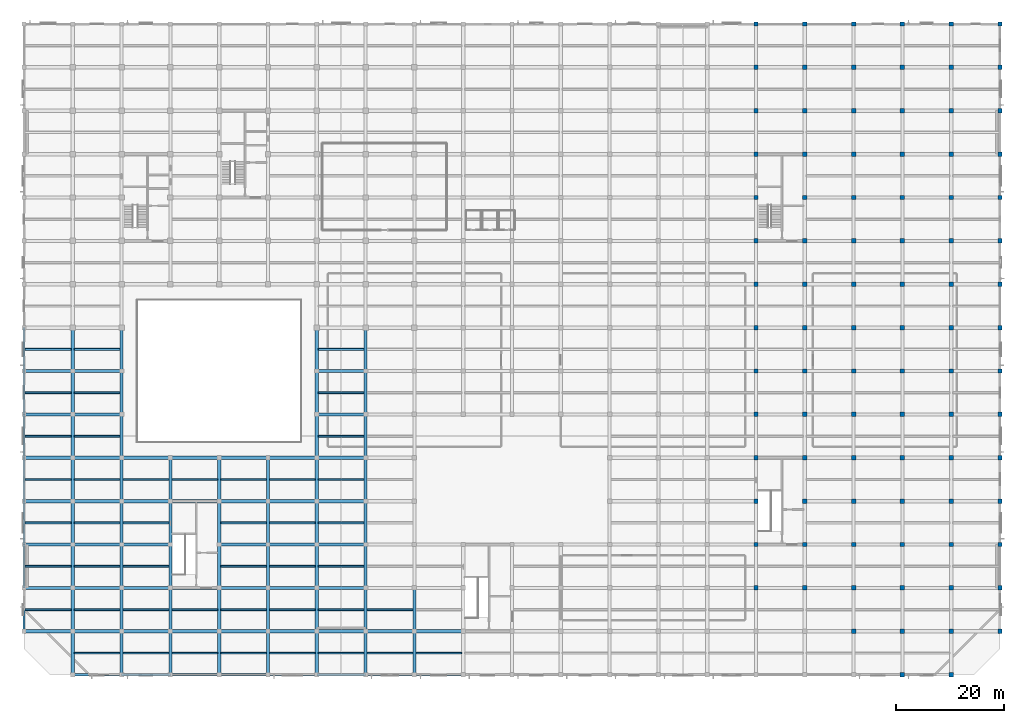
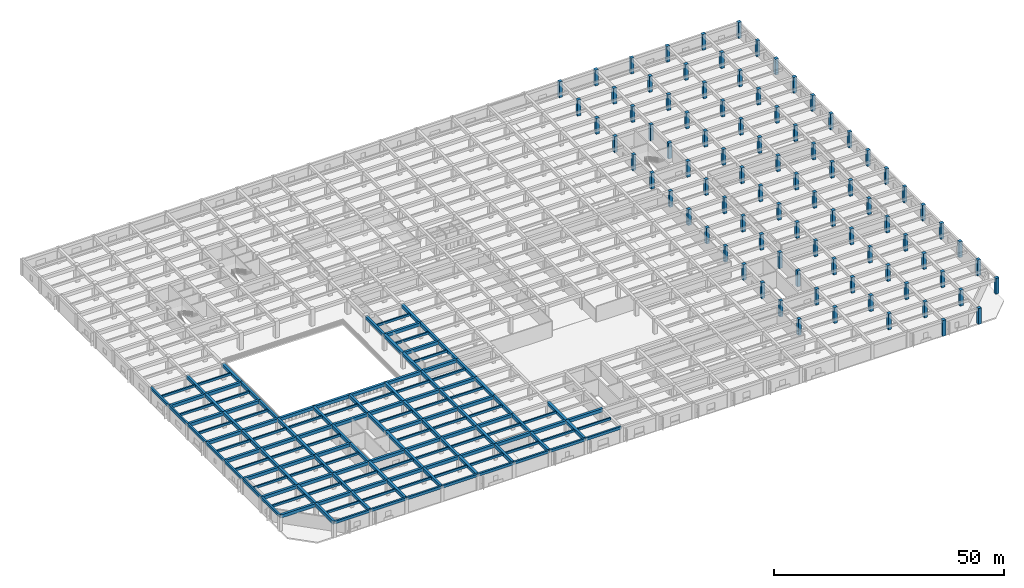
# One storey, part 2 of 32: 150 beams, 90 columns.
"""IFC4 building model written with IfcOpenShell, lengths in metres."""

from ifc_helpers import new_model, si_unit, direction, frame, origin, origin_2d, place, context, subcontext, project, spatial, rectangle, extrude, material, material_profile, profile_set, type_object, element, save


model = new_model("IFC4")

# Units and contexts
model_context = context("Model", 3, precision=1e-05, world=origin(), true_north=direction((0.0, 1.0)))
body_context = subcontext(model_context, "Body", "Model", "MODEL_VIEW")
ifc_project = project(units=[si_unit("LENGTHUNIT", "METRE"), si_unit("AREAUNIT", "SQUARE_METRE"), si_unit("VOLUMEUNIT", "CUBIC_METRE"), si_unit("PLANEANGLEUNIT", "RADIAN"), si_unit("MASSUNIT", "GRAM", prefix="KILO")], contexts=[model_context])

# Site, building, storey
site_placement = place(None, origin())
site = spatial("IfcSite", under=ifc_project, at=site_placement, CompositionType="ELEMENT")
building_placement = place(site_placement, origin())
building = spatial("IfcBuilding", under=site, at=building_placement, Name="Zaverband Oceanarium and Marine Research Institute", CompositionType="ELEMENT")
storey_placement = place(building_placement, frame((0.0, 0.0, 13.5)))
storey = spatial("IfcBuildingStorey", under=building, at=storey_placement, Name="L03", CompositionType="ELEMENT", Elevation=13.5)

# Columns
ifc_material_1 = material(Name="Concrete C50/60", Category="concrete")
ifc_material_profile_1 = material_profile(ifc_material_1, rectangle(XDim=0.800048828125, YDim=0.800048828125, at=origin_2d()), Name="RC800x800")
ifc_profile_set_1 = profile_set([ifc_material_profile_1], Name="Concrete C50/60")
column_type = type_object("IfcColumnType", Name="COL-C800", PredefinedType="COLUMN", material=ifc_profile_set_1)
for number, where, z_axis, x_axis, name in (
    (1, (135.0, 16.0, 0.0), (0.0, 0.0, 1.0), (1.0, 0.0, 0.0), "Reinforced concrete column RC800x800 COL-C800"),
    (2, (135.0, 24.0, 0.0), (0.0, 0.0, 1.0), (1.0, 0.0, 0.0), "Reinforced concrete column RC800x800 COL-C800"),
    (3, (135.0, 32.0, 0.0), (0.0, 0.0, 1.0), (1.0, 0.0, 0.0), "Reinforced concrete column RC800x800 COL-C800"),
    (4, (135.0, 40.0, 0.0), (0.0, 0.0, 1.0), (1.0, 0.0, 0.0), "Reinforced concrete column RC800x800 COL-C800"),
    (5, (135.0, 48.0, 0.0), (0.0, 0.0, 1.0), (1.0, 0.0, 0.0), "Reinforced concrete column RC800x800 COL-C800"),
    (6, (135.0, 56.0, 0.0), (0.0, 0.0, 1.0), (1.0, 0.0, 0.0), "Reinforced concrete column RC800x800 COL-C800"),
):
    element("IfcColumn", number, at=place(storey_placement, frame(where, z_axis=z_axis, x_axis=x_axis)), inside=storey, type_object=column_type, Name=name, PredefinedType="COLUMN", context=body_context, shape_type="SweptSolid", body=[
        extrude(rectangle(XDim=0.800048828125, YDim=0.800048828125, at=origin_2d()), origin(), (0.0, 0.0, 1.0), 4.199951171875),
    ])
for number, where, z_axis, x_axis, name in (
    (7, (135.0, 64.0, 0.0), (0.0, 0.0, 1.0), (1.0, 0.0, 0.0), "Reinforced concrete column RC800x800 COL-C800"),
    (8, (135.0, 72.0, 0.0), (0.0, 0.0, 1.0), (1.0, 0.0, 0.0), "Reinforced concrete column RC800x800 COL-C800"),
    (9, (135.0, 80.0, 0.0), (0.0, 0.0, 1.0), (1.0, 0.0, 0.0), "Reinforced concrete column RC800x800 COL-C800"),
    (10, (135.0, 88.0, 0.0), (0.0, 0.0, 1.0), (1.0, 0.0, 0.0), "Reinforced concrete column RC800x800 COL-C800"),
    (11, (135.0, 96.0, 0.0), (0.0, 0.0, 1.0), (1.0, 0.0, 0.0), "Reinforced concrete column RC800x800 COL-C800"),
    (12, (135.0, 104.0, 0.0), (0.0, 0.0, 1.0), (1.0, 0.0, 0.0), "Reinforced concrete column RC800x800 COL-C800"),
    (13, (135.0, 112.0, 0.0), (0.0, 0.0, 1.0), (1.0, 0.0, 0.0), "Reinforced concrete column RC800x800 COL-C800"),
):
    element("IfcColumn", number, at=place(storey_placement, frame(where, z_axis=z_axis, x_axis=x_axis)), inside=storey, type_object=column_type, Name=name, PredefinedType="COLUMN", context=body_context, shape_type="SweptSolid", body=[
        extrude(rectangle(XDim=0.800048828125, YDim=0.800048828125, at=origin_2d()), origin(), (0.0, 0.0, 1.0), 4.22998046875),
    ])
for number, where, z_axis, x_axis, name in (
    (14, (135.0, 120.0, 0.0), (0.0, 0.0, 1.0), (1.0, 0.0, 0.0), "Reinforced concrete column RC800x800 COL-C800"),
    (15, (144.0, 16.0, 0.0), (0.0, 0.0, 1.0), (1.0, 0.0, 0.0), "Reinforced concrete column RC800x800 COL-C800"),
    (16, (144.0, 24.0, 0.0), (0.0, 0.0, 1.0), (1.0, 0.0, 0.0), "Reinforced concrete column RC800x800 COL-C800"),
    (17, (144.0, 32.0, 0.0), (0.0, 0.0, 1.0), (1.0, 0.0, 0.0), "Reinforced concrete column RC800x800 COL-C800"),
    (18, (144.0, 40.0, 0.0), (0.0, 0.0, 1.0), (1.0, 0.0, 0.0), "Reinforced concrete column RC800x800 COL-C800"),
    (19, (144.0, 48.0, 0.0), (0.0, 0.0, 1.0), (1.0, 0.0, 0.0), "Reinforced concrete column RC800x800 COL-C800"),
    (20, (144.0, 56.0, 0.0), (0.0, 0.0, 1.0), (1.0, 0.0, 0.0), "Reinforced concrete column RC800x800 COL-C800"),
    (21, (144.0, 64.0, 0.0), (0.0, 0.0, 1.0), (1.0, 0.0, 0.0), "Reinforced concrete column RC800x800 COL-C800"),
    (22, (144.0, 72.0, 0.0), (0.0, 0.0, 1.0), (1.0, 0.0, 0.0), "Reinforced concrete column RC800x800 COL-C800"),
    (23, (144.0, 80.0, 0.0), (0.0, 0.0, 1.0), (1.0, 0.0, 0.0), "Reinforced concrete column RC800x800 COL-C800"),
    (24, (144.0, 88.0, 0.0), (0.0, 0.0, 1.0), (1.0, 0.0, 0.0), "Reinforced concrete column RC800x800 COL-C800"),
    (25, (144.0, 96.0, 0.0), (0.0, 0.0, 1.0), (1.0, 0.0, 0.0), "Reinforced concrete column RC800x800 COL-C800"),
    (26, (144.0, 104.0, 0.0), (0.0, 0.0, 1.0), (1.0, 0.0, 0.0), "Reinforced concrete column RC800x800 COL-C800"),
    (27, (144.0, 112.0, 0.0), (0.0, 0.0, 1.0), (1.0, 0.0, 0.0), "Reinforced concrete column RC800x800 COL-C800"),
    (28, (144.0, 120.0, 0.0), (0.0, 0.0, 1.0), (1.0, 0.0, 0.0), "Reinforced concrete column RC800x800 COL-C800"),
    (29, (153.0, 8.0, 0.0), (0.0, 0.0, 1.0), (1.0, 0.0, 0.0), "Reinforced concrete column RC800x800 COL-C800"),
    (30, (153.0, 16.0, 0.0), (0.0, 0.0, 1.0), (1.0, 0.0, 0.0), "Reinforced concrete column RC800x800 COL-C800"),
    (31, (153.0, 24.0, 0.0), (0.0, 0.0, 1.0), (1.0, 0.0, 0.0), "Reinforced concrete column RC800x800 COL-C800"),
    (32, (153.0, 32.0, 0.0), (0.0, 0.0, 1.0), (1.0, 0.0, 0.0), "Reinforced concrete column RC800x800 COL-C800"),
    (33, (153.0, 40.0, 0.0), (0.0, 0.0, 1.0), (1.0, 0.0, 0.0), "Reinforced concrete column RC800x800 COL-C800"),
    (34, (153.0, 48.0, 0.0), (0.0, 0.0, 1.0), (1.0, 0.0, 0.0), "Reinforced concrete column RC800x800 COL-C800"),
    (35, (153.0, 56.0, 0.0), (0.0, 0.0, 1.0), (1.0, 0.0, 0.0), "Reinforced concrete column RC800x800 COL-C800"),
    (36, (153.0, 64.0, 0.0), (0.0, 0.0, 1.0), (1.0, 0.0, 0.0), "Reinforced concrete column RC800x800 COL-C800"),
    (37, (153.0, 72.0, 0.0), (0.0, 0.0, 1.0), (1.0, 0.0, 0.0), "Reinforced concrete column RC800x800 COL-C800"),
    (38, (153.0, 80.0, 0.0), (0.0, 0.0, 1.0), (1.0, 0.0, 0.0), "Reinforced concrete column RC800x800 COL-C800"),
    (39, (153.0, 88.0, 0.0), (0.0, 0.0, 1.0), (1.0, 0.0, 0.0), "Reinforced concrete column RC800x800 COL-C800"),
    (40, (153.0, 96.0, 0.0), (0.0, 0.0, 1.0), (1.0, 0.0, 0.0), "Reinforced concrete column RC800x800 COL-C800"),
    (41, (153.0, 104.0, 0.0), (0.0, 0.0, 1.0), (1.0, 0.0, 0.0), "Reinforced concrete column RC800x800 COL-C800"),
    (42, (153.0, 112.0, 0.0), (0.0, 0.0, 1.0), (1.0, 0.0, 0.0), "Reinforced concrete column RC800x800 COL-C800"),
    (43, (153.0, 120.0, 0.0), (0.0, 0.0, 1.0), (1.0, 0.0, 0.0), "Reinforced concrete column RC800x800 COL-C800"),
    (44, (162.0, 0.0, 0.0), (0.0, 0.0, 1.0), (1.0, 0.0, 0.0), "Reinforced concrete column RC800x800 COL-C800"),
    (45, (162.0, 8.0, 0.0), (0.0, 0.0, 1.0), (1.0, 0.0, 0.0), "Reinforced concrete column RC800x800 COL-C800"),
    (46, (162.0, 16.0, 0.0), (0.0, 0.0, 1.0), (1.0, 0.0, 0.0), "Reinforced concrete column RC800x800 COL-C800"),
    (47, (162.0, 24.0, 0.0), (0.0, 0.0, 1.0), (1.0, 0.0, 0.0), "Reinforced concrete column RC800x800 COL-C800"),
    (48, (162.0, 32.0, 0.0), (0.0, 0.0, 1.0), (1.0, 0.0, 0.0), "Reinforced concrete column RC800x800 COL-C800"),
    (49, (162.0, 40.0, 0.0), (0.0, 0.0, 1.0), (1.0, 0.0, 0.0), "Reinforced concrete column RC800x800 COL-C800"),
    (50, (162.0, 48.0, 0.0), (0.0, 0.0, 1.0), (1.0, 0.0, 0.0), "Reinforced concrete column RC800x800 COL-C800"),
    (51, (162.0, 56.0, 0.0), (0.0, 0.0, 1.0), (1.0, 0.0, 0.0), "Reinforced concrete column RC800x800 COL-C800"),
    (52, (162.0, 64.0, 0.0), (0.0, 0.0, 1.0), (1.0, 0.0, 0.0), "Reinforced concrete column RC800x800 COL-C800"),
    (53, (162.0, 72.0, 0.0), (0.0, 0.0, 1.0), (1.0, 0.0, 0.0), "Reinforced concrete column RC800x800 COL-C800"),
    (54, (162.0, 80.0, 0.0), (0.0, 0.0, 1.0), (1.0, 0.0, 0.0), "Reinforced concrete column RC800x800 COL-C800"),
    (55, (162.0, 88.0, 0.0), (0.0, 0.0, 1.0), (1.0, 0.0, 0.0), "Reinforced concrete column RC800x800 COL-C800"),
    (56, (162.0, 96.0, 0.0), (0.0, 0.0, 1.0), (1.0, 0.0, 0.0), "Reinforced concrete column RC800x800 COL-C800"),
    (57, (162.0, 104.0, 0.0), (0.0, 0.0, 1.0), (1.0, 0.0, 0.0), "Reinforced concrete column RC800x800 COL-C800"),
    (58, (162.0, 112.0, 0.0), (0.0, 0.0, 1.0), (1.0, 0.0, 0.0), "Reinforced concrete column RC800x800 COL-C800"),
    (59, (162.0, 120.0, 0.0), (0.0, 0.0, 1.0), (1.0, 0.0, 0.0), "Reinforced concrete column RC800x800 COL-C800"),
    (60, (171.0, 0.0, 0.0), (0.0, 0.0, 1.0), (1.0, 0.0, 0.0), "Reinforced concrete column RC800x800 COL-C800"),
    (61, (171.0, 8.0, 0.0), (0.0, 0.0, 1.0), (1.0, 0.0, 0.0), "Reinforced concrete column RC800x800 COL-C800"),
    (62, (171.0, 16.0, 0.0), (0.0, 0.0, 1.0), (1.0, 0.0, 0.0), "Reinforced concrete column RC800x800 COL-C800"),
    (63, (171.0, 24.0, 0.0), (0.0, 0.0, 1.0), (1.0, 0.0, 0.0), "Reinforced concrete column RC800x800 COL-C800"),
    (64, (171.0, 32.0, 0.0), (0.0, 0.0, 1.0), (1.0, 0.0, 0.0), "Reinforced concrete column RC800x800 COL-C800"),
    (65, (171.0, 40.0, 0.0), (0.0, 0.0, 1.0), (1.0, 0.0, 0.0), "Reinforced concrete column RC800x800 COL-C800"),
    (66, (171.0, 48.0, 0.0), (0.0, 0.0, 1.0), (1.0, 0.0, 0.0), "Reinforced concrete column RC800x800 COL-C800"),
    (67, (171.0, 56.0, 0.0), (0.0, 0.0, 1.0), (1.0, 0.0, 0.0), "Reinforced concrete column RC800x800 COL-C800"),
    (68, (171.0, 64.0, 0.0), (0.0, 0.0, 1.0), (1.0, 0.0, 0.0), "Reinforced concrete column RC800x800 COL-C800"),
    (69, (171.0, 72.0, 0.0), (0.0, 0.0, 1.0), (1.0, 0.0, 0.0), "Reinforced concrete column RC800x800 COL-C800"),
    (70, (171.0, 80.0, 0.0), (0.0, 0.0, 1.0), (1.0, 0.0, 0.0), "Reinforced concrete column RC800x800 COL-C800"),
    (71, (171.0, 88.0, 0.0), (0.0, 0.0, 1.0), (1.0, 0.0, 0.0), "Reinforced concrete column RC800x800 COL-C800"),
    (72, (171.0, 96.0, 0.0), (0.0, 0.0, 1.0), (1.0, 0.0, 0.0), "Reinforced concrete column RC800x800 COL-C800"),
    (73, (171.0, 104.0, 0.0), (0.0, 0.0, 1.0), (1.0, 0.0, 0.0), "Reinforced concrete column RC800x800 COL-C800"),
    (74, (171.0, 112.0, 0.0), (0.0, 0.0, 1.0), (1.0, 0.0, 0.0), "Reinforced concrete column RC800x800 COL-C800"),
    (75, (171.0, 120.0, 0.0), (0.0, 0.0, 1.0), (1.0, 0.0, 0.0), "Reinforced concrete column RC800x800 COL-C800"),
    (76, (180.0, 8.0, 0.0), (0.0, 0.0, 1.0), (1.0, 0.0, 0.0), "Reinforced concrete column RC800x800 COL-C800"),
    (77, (180.0, 16.0, 0.0), (0.0, 0.0, 1.0), (1.0, 0.0, 0.0), "Reinforced concrete column RC800x800 COL-C800"),
    (78, (180.0, 24.0, 0.0), (0.0, 0.0, 1.0), (1.0, 0.0, 0.0), "Reinforced concrete column RC800x800 COL-C800"),
    (79, (180.0, 32.0, 0.0), (0.0, 0.0, 1.0), (1.0, 0.0, 0.0), "Reinforced concrete column RC800x800 COL-C800"),
    (80, (180.0, 40.0, 0.0), (0.0, 0.0, 1.0), (1.0, 0.0, 0.0), "Reinforced concrete column RC800x800 COL-C800"),
    (81, (180.0, 48.0, 0.0), (0.0, 0.0, 1.0), (1.0, 0.0, 0.0), "Reinforced concrete column RC800x800 COL-C800"),
    (82, (180.0, 56.0, 0.0), (0.0, 0.0, 1.0), (1.0, 0.0, 0.0), "Reinforced concrete column RC800x800 COL-C800"),
    (83, (180.0, 64.0, 0.0), (0.0, 0.0, 1.0), (1.0, 0.0, 0.0), "Reinforced concrete column RC800x800 COL-C800"),
    (84, (180.0, 72.0, 0.0), (0.0, 0.0, 1.0), (1.0, 0.0, 0.0), "Reinforced concrete column RC800x800 COL-C800"),
    (85, (180.0, 80.0, 0.0), (0.0, 0.0, 1.0), (1.0, 0.0, 0.0), "Reinforced concrete column RC800x800 COL-C800"),
    (86, (180.0, 88.0, 0.0), (0.0, 0.0, 1.0), (1.0, 0.0, 0.0), "Reinforced concrete column RC800x800 COL-C800"),
    (87, (180.0, 96.0, 0.0), (0.0, 0.0, 1.0), (1.0, 0.0, 0.0), "Reinforced concrete column RC800x800 COL-C800"),
    (88, (180.0, 104.0, 0.0), (0.0, 0.0, 1.0), (1.0, 0.0, 0.0), "Reinforced concrete column RC800x800 COL-C800"),
    (89, (180.0, 112.0, 0.0), (0.0, 0.0, 1.0), (1.0, 0.0, 0.0), "Reinforced concrete column RC800x800 COL-C800"),
    (90, (180.0, 120.0, 0.0), (0.0, 0.0, 1.0), (1.0, 0.0, 0.0), "Reinforced concrete column RC800x800 COL-C800"),
):
    element("IfcColumn", number, at=place(storey_placement, frame(where, z_axis=z_axis, x_axis=x_axis)), inside=storey, type_object=column_type, Name=name, PredefinedType="COLUMN", context=body_context, shape_type="SweptSolid", body=[
        extrude(rectangle(XDim=0.800048828125, YDim=0.800048828125, at=origin_2d()), origin(), (0.0, 0.0, 1.0), 4.199951171875),
    ])

# Beams
ifc_material_2 = material(Name="Concrete C40/50", Category="concrete")
ifc_material_profile_2 = material_profile(ifc_material_2, rectangle(XDim=0.60009765625, YDim=0.85009765625, at=origin_2d()), Name="RC600x850")
ifc_profile_set_2 = profile_set([ifc_material_profile_2], Name="Concrete C40/50")
beam_type_1 = type_object("IfcBeamType", Name="BM-600x850", PredefinedType="BEAM", material=ifc_profile_set_2)
for number, where, z_axis, x_axis, name in (
    (91, (0.0, 8.0, 3.77490234375), (1.0, 0.0, 0.0), (0.0, 1.0, 0.0), "Primary floor girder BM-600x850"),
    (92, (9.0, 8.0, 3.77490234375), (1.0, 0.0, 0.0), (0.0, 1.0, 0.0), "Primary floor girder BM-600x850"),
    (93, (18.0, 8.0, 3.77490234375), (1.0, 0.0, 0.0), (0.0, 1.0, 0.0), "Primary floor girder BM-600x850"),
    (94, (27.0, 8.0, 3.77490234375), (1.0, 0.0, 0.0), (0.0, 1.0, 0.0), "Primary floor girder BM-600x850"),
    (95, (36.0, 8.0, 3.77490234375), (1.0, 0.0, 0.0), (0.0, 1.0, 0.0), "Primary floor girder BM-600x850"),
    (96, (45.0, 8.0, 3.77490234375), (1.0, 0.0, 0.0), (0.0, 1.0, 0.0), "Primary floor girder BM-600x850"),
    (97, (54.0, 8.0, 3.77490234375), (1.0, 0.0, 0.0), (0.0, 1.0, 0.0), "Primary floor girder BM-600x850"),
    (98, (63.0, 8.0, 3.77490234375), (1.0, 0.0, 0.0), (0.0, 1.0, 0.0), "Primary floor girder BM-600x850"),
    (99, (72.0, 8.0, 3.77490234375), (1.0, 0.0, 0.0), (0.0, 1.0, 0.0), "Primary floor girder BM-600x850"),
    (100, (0.0, 16.0, 3.77490234375), (1.0, 0.0, 0.0), (0.0, 1.0, 0.0), "Primary floor girder BM-600x850"),
    (101, (9.0, 16.0, 3.77490234375), (1.0, 0.0, 0.0), (0.0, 1.0, 0.0), "Primary floor girder BM-600x850"),
    (102, (18.0, 16.0, 3.77490234375), (1.0, 0.0, 0.0), (0.0, 1.0, 0.0), "Primary floor girder BM-600x850"),
    (103, (27.0, 16.0, 3.77490234375), (1.0, 0.0, 0.0), (0.0, 1.0, 0.0), "Primary floor girder BM-600x850"),
    (104, (36.0, 16.0, 3.77490234375), (1.0, 0.0, 0.0), (0.0, 1.0, 0.0), "Primary floor girder BM-600x850"),
    (105, (45.0, 16.0, 3.77490234375), (1.0, 0.0, 0.0), (0.0, 1.0, 0.0), "Primary floor girder BM-600x850"),
    (106, (54.0, 16.0, 3.77490234375), (1.0, 0.0, 0.0), (0.0, 1.0, 0.0), "Primary floor girder BM-600x850"),
    (107, (0.0, 24.0, 3.77490234375), (1.0, 0.0, 0.0), (0.0, 1.0, 0.0), "Primary floor girder BM-600x850"),
    (108, (9.0, 24.0, 3.77490234375), (1.0, 0.0, 0.0), (0.0, 1.0, 0.0), "Primary floor girder BM-600x850"),
    (109, (18.0, 24.0, 3.77490234375), (1.0, 0.0, 0.0), (0.0, 1.0, 0.0), "Primary floor girder BM-600x850"),
    (110, (36.0, 24.0, 3.77490234375), (1.0, 0.0, 0.0), (0.0, 1.0, 0.0), "Primary floor girder BM-600x850"),
    (111, (45.0, 24.0, 3.77490234375), (1.0, 0.0, 0.0), (0.0, 1.0, 0.0), "Primary floor girder BM-600x850"),
    (112, (54.0, 24.0, 3.77490234375), (1.0, 0.0, 0.0), (0.0, 1.0, 0.0), "Primary floor girder BM-600x850"),
    (113, (0.0, 32.0, 3.77490234375), (1.0, 0.0, 0.0), (0.0, 1.0, 0.0), "Primary floor girder BM-600x850"),
    (114, (9.0, 32.0, 3.77490234375), (1.0, 0.0, 0.0), (0.0, 1.0, 0.0), "Primary floor girder BM-600x850"),
    (115, (18.0, 32.0, 3.77490234375), (1.0, 0.0, 0.0), (0.0, 1.0, 0.0), "Primary floor girder BM-600x850"),
    (116, (27.0, 32.0, 3.77490234375), (1.0, 0.0, 0.0), (0.0, 1.0, 0.0), "Primary floor girder BM-600x850"),
    (117, (36.0, 32.0, 3.77490234375), (1.0, 0.0, 0.0), (0.0, 1.0, 0.0), "Primary floor girder BM-600x850"),
    (118, (45.0, 32.0, 3.77490234375), (1.0, 0.0, 0.0), (0.0, 1.0, 0.0), "Primary floor girder BM-600x850"),
    (119, (54.0, 32.0, 3.77490234375), (1.0, 0.0, 0.0), (0.0, 1.0, 0.0), "Primary floor girder BM-600x850"),
    (120, (0.0, 40.0, 3.77490234375), (1.0, 0.0, 0.0), (0.0, 1.0, 0.0), "Primary floor girder BM-600x850"),
    (121, (9.0, 40.0, 3.77490234375), (1.0, 0.0, 0.0), (0.0, 1.0, 0.0), "Primary floor girder BM-600x850"),
    (122, (18.0, 40.0, 3.77490234375), (1.0, 0.0, 0.0), (0.0, 1.0, 0.0), "Primary floor girder BM-600x850"),
    (123, (27.0, 40.0, 3.77490234375), (1.0, 0.0, 0.0), (0.0, 1.0, 0.0), "Primary floor girder BM-600x850"),
    (124, (36.0, 40.0, 3.77490234375), (1.0, 0.0, 0.0), (0.0, 1.0, 0.0), "Primary floor girder BM-600x850"),
    (125, (45.0, 40.0, 3.77490234375), (1.0, 0.0, 0.0), (0.0, 1.0, 0.0), "Primary floor girder BM-600x850"),
    (126, (54.0, 40.0, 3.77490234375), (1.0, 0.0, 0.0), (0.0, 1.0, 0.0), "Primary floor girder BM-600x850"),
    (127, (0.0, 48.0, 3.77490234375), (1.0, 0.0, 0.0), (0.0, 1.0, 0.0), "Primary floor girder BM-600x850"),
    (128, (9.0, 48.0, 3.77490234375), (1.0, 0.0, 0.0), (0.0, 1.0, 0.0), "Primary floor girder BM-600x850"),
    (129, (54.0, 48.0, 3.77490234375), (1.0, 0.0, 0.0), (0.0, 1.0, 0.0), "Primary floor girder BM-600x850"),
    (130, (0.0, 56.0, 3.77490234375), (1.0, 0.0, 0.0), (0.0, 1.0, 0.0), "Primary floor girder BM-600x850"),
    (131, (9.0, 56.0, 3.77490234375), (1.0, 0.0, 0.0), (0.0, 1.0, 0.0), "Primary floor girder BM-600x850"),
    (132, (54.0, 56.0, 3.77490234375), (1.0, 0.0, 0.0), (0.0, 1.0, 0.0), "Primary floor girder BM-600x850"),
):
    element("IfcBeam", number, at=place(storey_placement, frame(where, z_axis=z_axis, x_axis=x_axis)), inside=storey, type_object=beam_type_1, Name=name, PredefinedType="BEAM", context=body_context, shape_type="SweptSolid", body=[
        extrude(rectangle(XDim=0.60009765625, YDim=0.85009765625, at=origin_2d()), origin(), (0.0, 0.0, 1.0), 9.0),
    ])
for number, where, z_axis, x_axis, name in (
    (133, (9.0, 0.0, 3.77490234375), (0.0, 1.0, 0.0), (-1.0, 0.0, 0.0), "Primary floor girder BM-600x850"),
    (134, (9.0, 8.0, 3.77490234375), (0.0, 1.0, 0.0), (-1.0, 0.0, 0.0), "Primary floor girder BM-600x850"),
    (135, (9.0, 16.0, 3.77490234375), (0.0, 1.0, 0.0), (-1.0, 0.0, 0.0), "Primary floor girder BM-600x850"),
    (136, (9.0, 24.0, 3.77490234375), (0.0, 1.0, 0.0), (-1.0, 0.0, 0.0), "Primary floor girder BM-600x850"),
    (137, (9.0, 32.0, 3.77490234375), (0.0, 1.0, 0.0), (-1.0, 0.0, 0.0), "Primary floor girder BM-600x850"),
    (138, (9.0, 40.0, 3.77490234375), (0.0, 1.0, 0.0), (-1.0, 0.0, 0.0), "Primary floor girder BM-600x850"),
    (139, (9.0, 48.0, 3.77490234375), (0.0, 1.0, 0.0), (-1.0, 0.0, 0.0), "Primary floor girder BM-600x850"),
    (140, (9.0, 56.0, 3.77490234375), (0.0, 1.0, 0.0), (-1.0, 0.0, 0.0), "Primary floor girder BM-600x850"),
    (141, (18.0, 0.0, 3.77490234375), (0.0, 1.0, 0.0), (-1.0, 0.0, 0.0), "Primary floor girder BM-600x850"),
    (142, (18.0, 8.0, 3.77490234375), (0.0, 1.0, 0.0), (-1.0, 0.0, 0.0), "Primary floor girder BM-600x850"),
    (143, (18.0, 16.0, 3.77490234375), (0.0, 1.0, 0.0), (-1.0, 0.0, 0.0), "Primary floor girder BM-600x850"),
    (144, (18.0, 24.0, 3.77490234375), (0.0, 1.0, 0.0), (-1.0, 0.0, 0.0), "Primary floor girder BM-600x850"),
    (145, (18.0, 32.0, 3.77490234375), (0.0, 1.0, 0.0), (-1.0, 0.0, 0.0), "Primary floor girder BM-600x850"),
    (146, (18.0, 40.0, 3.77490234375), (0.0, 1.0, 0.0), (-1.0, 0.0, 0.0), "Primary floor girder BM-600x850"),
    (147, (18.0, 48.0, 3.77490234375), (0.0, 1.0, 0.0), (-1.0, 0.0, 0.0), "Primary floor girder BM-600x850"),
    (148, (18.0, 56.0, 3.77490234375), (0.0, 1.0, 0.0), (-1.0, 0.0, 0.0), "Primary floor girder BM-600x850"),
    (149, (27.0, 0.0, 3.77490234375), (0.0, 1.0, 0.0), (-1.0, 0.0, 0.0), "Primary floor girder BM-600x850"),
    (150, (27.0, 8.0, 3.77490234375), (0.0, 1.0, 0.0), (-1.0, 0.0, 0.0), "Primary floor girder BM-600x850"),
    (151, (27.0, 16.0, 3.77490234375), (0.0, 1.0, 0.0), (-1.0, 0.0, 0.0), "Primary floor girder BM-600x850"),
    (152, (27.0, 24.0, 3.77490234375), (0.0, 1.0, 0.0), (-1.0, 0.0, 0.0), "Primary floor girder BM-600x850"),
    (153, (27.0, 32.0, 3.77490234375), (0.0, 1.0, 0.0), (-1.0, 0.0, 0.0), "Primary floor girder BM-600x850"),
    (154, (36.0, 0.0, 3.77490234375), (0.0, 1.0, 0.0), (-1.0, 0.0, 0.0), "Primary floor girder BM-600x850"),
    (155, (36.0, 8.0, 3.77490234375), (0.0, 1.0, 0.0), (-1.0, 0.0, 0.0), "Primary floor girder BM-600x850"),
    (156, (36.0, 16.0, 3.77490234375), (0.0, 1.0, 0.0), (-1.0, 0.0, 0.0), "Primary floor girder BM-600x850"),
    (157, (36.0, 24.0, 3.77490234375), (0.0, 1.0, 0.0), (-1.0, 0.0, 0.0), "Primary floor girder BM-600x850"),
    (158, (36.0, 32.0, 3.77490234375), (0.0, 1.0, 0.0), (-1.0, 0.0, 0.0), "Primary floor girder BM-600x850"),
    (159, (45.0, 0.0, 3.77490234375), (0.0, 1.0, 0.0), (-1.0, 0.0, 0.0), "Primary floor girder BM-600x850"),
    (160, (45.0, 8.0, 3.77490234375), (0.0, 1.0, 0.0), (-1.0, 0.0, 0.0), "Primary floor girder BM-600x850"),
    (161, (45.0, 16.0, 3.77490234375), (0.0, 1.0, 0.0), (-1.0, 0.0, 0.0), "Primary floor girder BM-600x850"),
    (162, (45.0, 24.0, 3.77490234375), (0.0, 1.0, 0.0), (-1.0, 0.0, 0.0), "Primary floor girder BM-600x850"),
    (163, (45.0, 32.0, 3.77490234375), (0.0, 1.0, 0.0), (-1.0, 0.0, 0.0), "Primary floor girder BM-600x850"),
    (164, (54.0, 0.0, 3.77490234375), (0.0, 1.0, 0.0), (-1.0, 0.0, 0.0), "Primary floor girder BM-600x850"),
    (165, (54.0, 8.0, 3.77490234375), (0.0, 1.0, 0.0), (-1.0, 0.0, 0.0), "Primary floor girder BM-600x850"),
    (166, (54.0, 16.0, 3.77490234375), (0.0, 1.0, 0.0), (-1.0, 0.0, 0.0), "Primary floor girder BM-600x850"),
    (167, (54.0, 24.0, 3.77490234375), (0.0, 1.0, 0.0), (-1.0, 0.0, 0.0), "Primary floor girder BM-600x850"),
    (168, (54.0, 32.0, 3.77490234375), (0.0, 1.0, 0.0), (-1.0, 0.0, 0.0), "Primary floor girder BM-600x850"),
    (169, (54.0, 40.0, 3.77490234375), (0.0, 1.0, 0.0), (-1.0, 0.0, 0.0), "Primary floor girder BM-600x850"),
    (170, (54.0, 48.0, 3.77490234375), (0.0, 1.0, 0.0), (-1.0, 0.0, 0.0), "Primary floor girder BM-600x850"),
    (171, (54.0, 56.0, 3.77490234375), (0.0, 1.0, 0.0), (-1.0, 0.0, 0.0), "Primary floor girder BM-600x850"),
    (172, (63.0, 0.0, 3.77490234375), (0.0, 1.0, 0.0), (-1.0, 0.0, 0.0), "Primary floor girder BM-600x850"),
    (173, (63.0, 8.0, 3.77490234375), (0.0, 1.0, 0.0), (-1.0, 0.0, 0.0), "Primary floor girder BM-600x850"),
    (174, (63.0, 16.0, 3.77490234375), (0.0, 1.0, 0.0), (-1.0, 0.0, 0.0), "Primary floor girder BM-600x850"),
    (175, (63.0, 24.0, 3.77490234375), (0.0, 1.0, 0.0), (-1.0, 0.0, 0.0), "Primary floor girder BM-600x850"),
    (176, (63.0, 32.0, 3.77490234375), (0.0, 1.0, 0.0), (-1.0, 0.0, 0.0), "Primary floor girder BM-600x850"),
    (177, (63.0, 40.0, 3.77490234375), (0.0, 1.0, 0.0), (-1.0, 0.0, 0.0), "Primary floor girder BM-600x850"),
    (178, (63.0, 48.0, 3.77490234375), (0.0, 1.0, 0.0), (-1.0, 0.0, 0.0), "Primary floor girder BM-600x850"),
    (179, (63.0, 56.0, 3.77490234375), (0.0, 1.0, 0.0), (-1.0, 0.0, 0.0), "Primary floor girder BM-600x850"),
    (180, (72.0, 0.0, 3.77490234375), (0.0, 1.0, 0.0), (-1.0, 0.0, 0.0), "Primary floor girder BM-600x850"),
    (181, (72.0, 8.0, 3.77490234375), (0.0, 1.0, 0.0), (-1.0, 0.0, 0.0), "Primary floor girder BM-600x850"),
):
    element("IfcBeam", number, at=place(storey_placement, frame(where, z_axis=z_axis, x_axis=x_axis)), inside=storey, type_object=beam_type_1, Name=name, PredefinedType="BEAM", context=body_context, shape_type="SweptSolid", body=[
        extrude(rectangle(XDim=0.60009765625, YDim=0.85009765625, at=origin_2d()), origin(), (0.0, 0.0, 1.0), 8.0),
    ])
ifc_material_profile_3 = material_profile(ifc_material_2, rectangle(XDim=0.35009765625, YDim=0.60009765625, at=origin_2d()), Name="RC350x600")
ifc_profile_set_3 = profile_set([ifc_material_profile_3], Name="Concrete C40/50")
beam_type_2 = type_object("IfcBeamType", Name="JST-350x600", PredefinedType="JOIST", material=ifc_profile_set_3)
for number, where, z_axis, x_axis, name in (
    (182, (0.22509765625, 12.0, 3.89990234375), (1.0, 0.0, 0.0), (0.0, 1.0, 0.0), "Secondary floor joist JST-350x600"),
    (183, (0.22509765625, 20.0, 3.89990234375), (1.0, 0.0, 0.0), (0.0, 1.0, 0.0), "Secondary floor joist JST-350x600"),
    (184, (0.22509765625, 28.0, 3.89990234375), (1.0, 0.0, 0.0), (0.0, 1.0, 0.0), "Secondary floor joist JST-350x600"),
    (185, (0.22509765625, 36.0, 3.89990234375), (1.0, 0.0, 0.0), (0.0, 1.0, 0.0), "Secondary floor joist JST-350x600"),
    (186, (0.22509765625, 44.0, 3.89990234375), (1.0, 0.0, 0.0), (0.0, 1.0, 0.0), "Secondary floor joist JST-350x600"),
    (187, (0.22509765625, 52.0, 3.89990234375), (1.0, 0.0, 0.0), (0.0, 1.0, 0.0), "Secondary floor joist JST-350x600"),
    (188, (0.22509765625, 60.0, 3.89990234375), (1.0, 0.0, 0.0), (0.0, 1.0, 0.0), "Secondary floor joist JST-350x600"),
):
    element("IfcBeam", number, at=place(storey_placement, frame(where, z_axis=z_axis, x_axis=x_axis)), inside=storey, type_object=beam_type_2, Name=name, PredefinedType="JOIST", context=body_context, shape_type="SweptSolid", body=[
        extrude(rectangle(XDim=0.35009765625, YDim=0.60009765625, at=origin_2d()), origin(), (0.0, 0.0, 1.0), 8.474853515625),
    ])
for number, where, z_axis, x_axis, name in (
    (189, (9.300048828125, 4.0, 3.89990234375), (1.0, 0.0, 0.0), (0.0, 1.0, 0.0), "Secondary floor joist JST-350x600"),
    (190, (9.300048828125, 12.0, 3.89990234375), (1.0, 0.0, 0.0), (0.0, 1.0, 0.0), "Secondary floor joist JST-350x600"),
    (191, (9.300048828125, 20.0, 3.89990234375), (1.0, 0.0, 0.0), (0.0, 1.0, 0.0), "Secondary floor joist JST-350x600"),
    (192, (9.300048828125, 28.0, 3.89990234375), (1.0, 0.0, 0.0), (0.0, 1.0, 0.0), "Secondary floor joist JST-350x600"),
    (193, (9.300048828125, 36.0, 3.89990234375), (1.0, 0.0, 0.0), (0.0, 1.0, 0.0), "Secondary floor joist JST-350x600"),
    (194, (9.300048828125, 44.0, 3.89990234375), (1.0, 0.0, 0.0), (0.0, 1.0, 0.0), "Secondary floor joist JST-350x600"),
    (195, (9.300048828125, 52.0, 3.89990234375), (1.0, 0.0, 0.0), (0.0, 1.0, 0.0), "Secondary floor joist JST-350x600"),
    (196, (9.300048828125, 60.0, 3.89990234375), (1.0, 0.0, 0.0), (0.0, 1.0, 0.0), "Secondary floor joist JST-350x600"),
    (197, (18.300048828125, 4.0, 3.89990234375), (1.0, 0.0, 0.0), (0.0, 1.0, 0.0), "Secondary floor joist JST-350x600"),
    (198, (18.300048828125, 12.0, 3.89990234375), (1.0, 0.0, 0.0), (0.0, 1.0, 0.0), "Secondary floor joist JST-350x600"),
    (199, (18.300048828125, 20.0, 3.89990234375), (1.0, 0.0, 0.0), (0.0, 1.0, 0.0), "Secondary floor joist JST-350x600"),
    (200, (18.300048828125, 28.0, 3.89990234375), (1.0, 0.0, 0.0), (0.0, 1.0, 0.0), "Secondary floor joist JST-350x600"),
    (201, (18.300048828125, 36.0, 3.89990234375), (1.0, 0.0, 0.0), (0.0, 1.0, 0.0), "Secondary floor joist JST-350x600"),
    (202, (27.300048828125, 4.0, 3.89990234375), (1.0, 0.0, 0.0), (0.0, 1.0, 0.0), "Secondary floor joist JST-350x600"),
    (203, (27.300048828125, 12.0, 3.89990234375), (1.0, 0.0, 0.0), (0.0, 1.0, 0.0), "Secondary floor joist JST-350x600"),
    (204, (27.300048828125, 36.0, 3.89990234375), (1.0, 0.0, 0.0), (0.0, 1.0, 0.0), "Secondary floor joist JST-350x600"),
    (205, (36.300048828125, 4.0, 3.89990234375), (1.0, 0.0, 0.0), (0.0, 1.0, 0.0), "Secondary floor joist JST-350x600"),
    (206, (36.300048828125, 12.0, 3.89990234375), (1.0, 0.0, 0.0), (0.0, 1.0, 0.0), "Secondary floor joist JST-350x600"),
    (207, (36.300048828125, 20.0, 3.89990234375), (1.0, 0.0, 0.0), (0.0, 1.0, 0.0), "Secondary floor joist JST-350x600"),
    (208, (36.300048828125, 28.0, 3.89990234375), (1.0, 0.0, 0.0), (0.0, 1.0, 0.0), "Secondary floor joist JST-350x600"),
    (209, (36.300048828125, 36.0, 3.89990234375), (1.0, 0.0, 0.0), (0.0, 1.0, 0.0), "Secondary floor joist JST-350x600"),
    (210, (45.300048828125, 4.0, 3.89990234375), (1.0, 0.0, 0.0), (0.0, 1.0, 0.0), "Secondary floor joist JST-350x600"),
    (211, (45.300048828125, 12.0, 3.89990234375), (1.0, 0.0, 0.0), (0.0, 1.0, 0.0), "Secondary floor joist JST-350x600"),
    (212, (45.300048828125, 20.0, 3.89990234375), (1.0, 0.0, 0.0), (0.0, 1.0, 0.0), "Secondary floor joist JST-350x600"),
    (213, (45.300048828125, 28.0, 3.89990234375), (1.0, 0.0, 0.0), (0.0, 1.0, 0.0), "Secondary floor joist JST-350x600"),
    (214, (45.300048828125, 36.0, 3.89990234375), (1.0, 0.0, 0.0), (0.0, 1.0, 0.0), "Secondary floor joist JST-350x600"),
    (215, (54.300048828125, 4.0, 3.89990234375), (1.0, 0.0, 0.0), (0.0, 1.0, 0.0), "Secondary floor joist JST-350x600"),
    (216, (54.300048828125, 12.0, 3.89990234375), (1.0, 0.0, 0.0), (0.0, 1.0, 0.0), "Secondary floor joist JST-350x600"),
    (217, (54.300048828125, 20.0, 3.89990234375), (1.0, 0.0, 0.0), (0.0, 1.0, 0.0), "Secondary floor joist JST-350x600"),
    (218, (54.300048828125, 28.0, 3.89990234375), (1.0, 0.0, 0.0), (0.0, 1.0, 0.0), "Secondary floor joist JST-350x600"),
    (219, (54.300048828125, 36.0, 3.89990234375), (1.0, 0.0, 0.0), (0.0, 1.0, 0.0), "Secondary floor joist JST-350x600"),
    (220, (54.300048828125, 44.0, 3.89990234375), (1.0, 0.0, 0.0), (0.0, 1.0, 0.0), "Secondary floor joist JST-350x600"),
    (221, (54.300048828125, 52.0, 3.89990234375), (1.0, 0.0, 0.0), (0.0, 1.0, 0.0), "Secondary floor joist JST-350x600"),
    (222, (54.300048828125, 60.0, 3.89990234375), (1.0, 0.0, 0.0), (0.0, 1.0, 0.0), "Secondary floor joist JST-350x600"),
    (223, (63.300048828125, 4.0, 3.89990234375), (1.0, 0.0, 0.0), (0.0, 1.0, 0.0), "Secondary floor joist JST-350x600"),
    (224, (63.300048828125, 12.0, 3.89990234375), (1.0, 0.0, 0.0), (0.0, 1.0, 0.0), "Secondary floor joist JST-350x600"),
    (225, (72.300048828125, 4.0, 3.89990234375), (1.0, 0.0, 0.0), (0.0, 1.0, 0.0), "Secondary floor joist JST-350x600"),
):
    element("IfcBeam", number, at=place(storey_placement, frame(where, z_axis=z_axis, x_axis=x_axis)), inside=storey, type_object=beam_type_2, Name=name, PredefinedType="JOIST", context=body_context, shape_type="SweptSolid", body=[
        extrude(rectangle(XDim=0.35009765625, YDim=0.60009765625, at=origin_2d()), origin(), (0.0, 0.0, 1.0), 8.39990234375),
    ])
ifc_material_profile_4 = material_profile(ifc_material_2, rectangle(XDim=0.449951171875, YDim=0.699951171875, at=origin_2d()), Name="RC450x700")
ifc_profile_set_4 = profile_set([ifc_material_profile_4], Name="Concrete C40/50")
beam_type_3 = type_object("IfcBeamType", Name="SPN-450x700", PredefinedType="SPANDREL", material=ifc_profile_set_4)
for number, where, z_axis, x_axis, name in (
    (226, (9.0, 0.0, 3.85009765625), (1.0, 0.0, 0.0), (0.0, 1.0, 0.0), "Perimeter spandrel beam SPN-450x700"),
    (227, (18.0, 0.0, 3.85009765625), (1.0, 0.0, 0.0), (0.0, 1.0, 0.0), "Perimeter spandrel beam SPN-450x700"),
    (228, (27.0, 0.0, 3.85009765625), (1.0, 0.0, 0.0), (0.0, 1.0, 0.0), "Perimeter spandrel beam SPN-450x700"),
    (229, (36.0, 0.0, 3.85009765625), (1.0, 0.0, 0.0), (0.0, 1.0, 0.0), "Perimeter spandrel beam SPN-450x700"),
    (230, (45.0, 0.0, 3.85009765625), (1.0, 0.0, 0.0), (0.0, 1.0, 0.0), "Perimeter spandrel beam SPN-450x700"),
    (231, (54.0, 0.0, 3.85009765625), (1.0, 0.0, 0.0), (0.0, 1.0, 0.0), "Perimeter spandrel beam SPN-450x700"),
    (232, (63.0, 0.0, 3.85009765625), (1.0, 0.0, 0.0), (0.0, 1.0, 0.0), "Perimeter spandrel beam SPN-450x700"),
    (233, (72.0, 0.0, 3.85009765625), (1.0, 0.0, 0.0), (0.0, 1.0, 0.0), "Perimeter spandrel beam SPN-450x700"),
):
    element("IfcBeam", number, at=place(storey_placement, frame(where, z_axis=z_axis, x_axis=x_axis)), inside=storey, type_object=beam_type_3, Name=name, PredefinedType="SPANDREL", context=body_context, shape_type="SweptSolid", body=[
        extrude(rectangle(XDim=0.449951171875, YDim=0.699951171875, at=origin_2d()), origin(), (0.0, 0.0, 1.0), 9.0),
    ])
for number, where, z_axis, x_axis, name in (
    (234, (0.0, 8.0, 3.85009765625), (0.0, 1.0, 0.0), (-1.0, 0.0, 0.0), "Perimeter spandrel beam SPN-450x700"),
    (235, (0.0, 16.0, 3.85009765625), (0.0, 1.0, 0.0), (-1.0, 0.0, 0.0), "Perimeter spandrel beam SPN-450x700"),
    (236, (0.0, 24.0, 3.85009765625), (0.0, 1.0, 0.0), (-1.0, 0.0, 0.0), "Perimeter spandrel beam SPN-450x700"),
    (237, (0.0, 32.0, 3.85009765625), (0.0, 1.0, 0.0), (-1.0, 0.0, 0.0), "Perimeter spandrel beam SPN-450x700"),
    (238, (0.0, 40.0, 3.85009765625), (0.0, 1.0, 0.0), (-1.0, 0.0, 0.0), "Perimeter spandrel beam SPN-450x700"),
    (239, (0.0, 48.0, 3.85009765625), (0.0, 1.0, 0.0), (-1.0, 0.0, 0.0), "Perimeter spandrel beam SPN-450x700"),
    (240, (0.0, 56.0, 3.85009765625), (0.0, 1.0, 0.0), (-1.0, 0.0, 0.0), "Perimeter spandrel beam SPN-450x700"),
):
    element("IfcBeam", number, at=place(storey_placement, frame(where, z_axis=z_axis, x_axis=x_axis)), inside=storey, type_object=beam_type_3, Name=name, PredefinedType="SPANDREL", context=body_context, shape_type="SweptSolid", body=[
        extrude(rectangle(XDim=0.449951171875, YDim=0.699951171875, at=origin_2d()), origin(), (0.0, 0.0, 1.0), 8.0),
    ])

save(model, "model.ifc")
